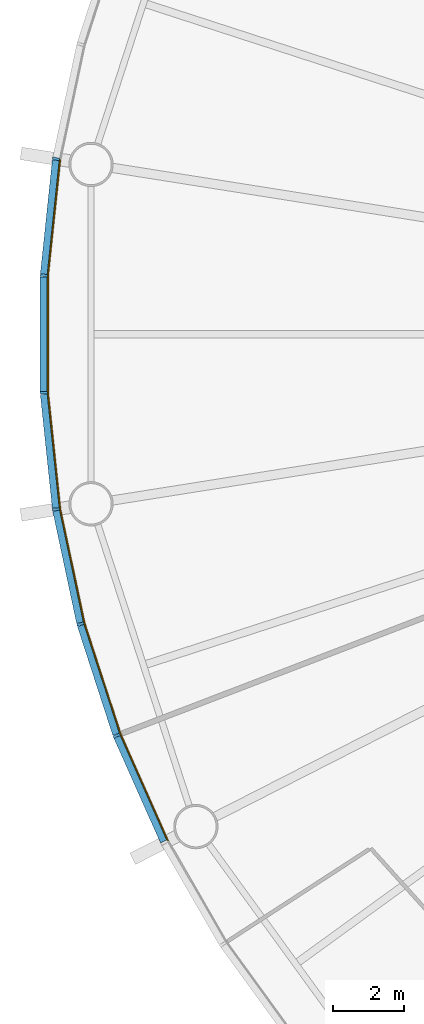
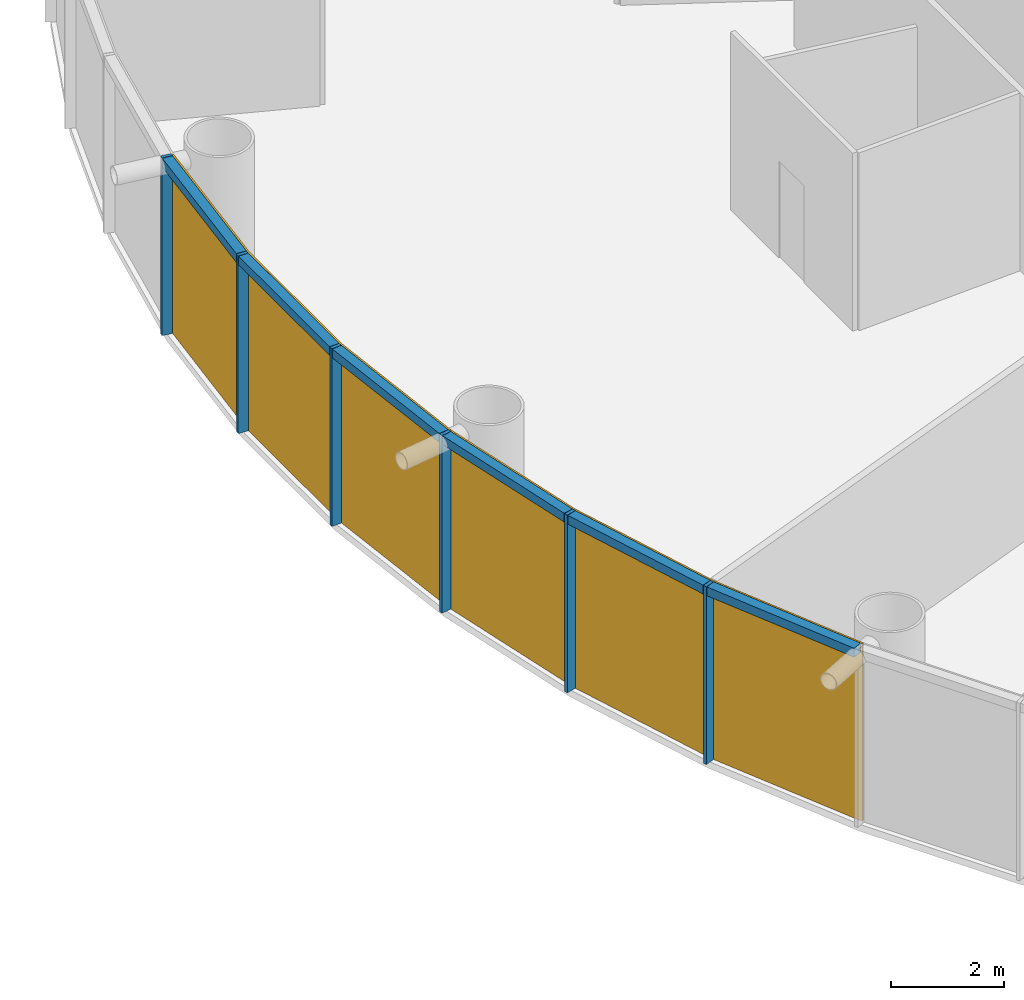
# One storey, part 8 of 13: 12 members, 2 curtain walls.
"""IFC4 building model written with IfcOpenShell, lengths in metres."""

from ifc_helpers import new_model, si_unit, direction, frame, origin, origin_2d, place, context, subcontext, project, spatial, polyline, rectangle, outline, extrude, material, layer, layer_set, material_profile, profile_set, type_object, element, aggregate, save


model = new_model("IFC4")

# Units and contexts
model_context = context("Model", 3, precision=1e-05, world=origin(), true_north=direction((0.0, 1.0)))
body_context = subcontext(model_context, "Body", "Model", "MODEL_VIEW")
ifc_project = project(units=[si_unit("LENGTHUNIT", "METRE"), si_unit("AREAUNIT", "SQUARE_METRE"), si_unit("VOLUMEUNIT", "CUBIC_METRE"), si_unit("PLANEANGLEUNIT", "RADIAN"), si_unit("MASSUNIT", "GRAM", prefix="KILO")], contexts=[model_context])

# Member
ifc_material_1 = material(Name="Anodised aluminium", Category="aluminium")
ifc_material_profile_1 = material_profile(ifc_material_1, rectangle(XDim=0.070068359375, YDim=0.199951171875, at=origin_2d()), Name="Mullion 70 x 200 mm anodised aluminium")
ifc_profile_set_1 = profile_set([ifc_material_profile_1], Name="Anodised aluminium")
member_type_1 = type_object("IfcMemberType", Name="Mullion 70 x 200 mm anodised aluminium", PredefinedType="MULLION", material=ifc_profile_set_1)
site_placement = place(None, origin())
building_placement = place(site_placement, origin())
storey_placement = place(building_placement, frame((0.0, 0.0, 112.0)))
member_1_placement = place(storey_placement, frame((58.7890625, 84.943359375, 0.0), z_axis=(0.0, 0.0, 1.0), x_axis=(-0.15643446504, -0.987688340595, 0.0)))
member_1 = element("IfcMember", 1, at=member_1_placement, type_object=member_type_1, Name="MULLION L25-27", PredefinedType="MULLION", context=body_context, shape_type="SweptSolid", body=[
    extrude(rectangle(XDim=0.070068359375, YDim=0.199951171875, at=origin_2d()), origin(), (0.0, 0.0, 1.0), 3.85009765625),
])

member_2_placement = place(storey_placement, frame((58.443359375, 81.65380859375, 0.0), z_axis=(0.0, 0.0, 1.0), x_axis=(-0.052335956243, -0.998629534755, 0.0)))
member_2 = element("IfcMember", 2, at=member_2_placement, type_object=member_type_1, Name="MULLION L25-28", PredefinedType="MULLION", context=body_context, shape_type="SweptSolid", body=[
    extrude(rectangle(XDim=0.070068359375, YDim=0.199951171875, at=origin_2d()), origin(), (0.0, 0.0, 1.0), 3.85009765625),
])

member_3_placement = place(storey_placement, frame((58.443359375, 78.34619140625, 0.0), z_axis=(0.0, 0.0, 1.0), x_axis=(0.052335956243, -0.998629534755, 0.0)))
member_3 = element("IfcMember", 3, at=member_3_placement, type_object=member_type_1, Name="MULLION L25-29", PredefinedType="MULLION", context=body_context, shape_type="SweptSolid", body=[
    extrude(rectangle(XDim=0.070068359375, YDim=0.199951171875, at=origin_2d()), origin(), (0.0, 0.0, 1.0), 3.85009765625),
])

member_4_placement = place(storey_placement, frame((58.7890625, 75.056640625, 0.0), z_axis=(0.0, 0.0, 1.0), x_axis=(0.15643446504, -0.987688340595, 0.0)))
member_4 = element("IfcMember", 4, at=member_4_placement, type_object=member_type_1, Name="MULLION L25-30", PredefinedType="MULLION", context=body_context, shape_type="SweptSolid", body=[
    extrude(rectangle(XDim=0.070068359375, YDim=0.199951171875, at=origin_2d()), origin(), (0.0, 0.0, 1.0), 3.85009765625),
])

member_5_placement = place(storey_placement, frame((59.476806640625, 71.8212890625, 0.0), z_axis=(0.0, 0.0, 1.0), x_axis=(0.258819045103, -0.965925826289, 0.0)))
member_5 = element("IfcMember", 5, at=member_5_placement, type_object=member_type_1, Name="MULLION L25-31", PredefinedType="MULLION", context=body_context, shape_type="SweptSolid", body=[
    extrude(rectangle(XDim=0.070068359375, YDim=0.199951171875, at=origin_2d()), origin(), (0.0, 0.0, 1.0), 3.85009765625),
])

member_6_placement = place(storey_placement, frame((60.498779296875, 68.675537109375, 0.0), z_axis=(0.0, 0.0, 1.0), x_axis=(0.358367949545, -0.933580426497, 0.0)))
member_6 = element("IfcMember", 6, at=member_6_placement, type_object=member_type_1, Name="MULLION L25-32", PredefinedType="MULLION", context=body_context, shape_type="SweptSolid", body=[
    extrude(rectangle(XDim=0.070068359375, YDim=0.199951171875, at=origin_2d()), origin(), (0.0, 0.0, 1.0), 3.85009765625),
])

ifc_material_2 = material(Name="Anodised aluminium", Category="aluminium")
ifc_material_profile_2 = material_profile(ifc_material_2, rectangle(XDim=0.199951171875, YDim=0.18994140625, at=origin_2d()), Name="Transom 190 x 200 mm anodised aluminium")
ifc_profile_set_2 = profile_set([ifc_material_profile_2], Name="Anodised aluminium")
member_type_2 = type_object("IfcMemberType", Name="Transom 190 x 200 mm anodised aluminium", PredefinedType="USERDEFINED", material=ifc_profile_set_2)
member_7_placement = place(storey_placement, frame((58.78466796875, 84.9033203125, 3.7548828125), z_axis=(-0.104550890115, -0.994519537956, 0.0), x_axis=(0.994519537956, -0.104550890115, 0.0)))
member_7 = element("IfcMember", 7, at=member_7_placement, type_object=member_type_2, Name="TRANSOM L25-27", ObjectType="TRANSOM", PredefinedType="USERDEFINED", context=body_context, shape_type="SweptSolid", body=[
    extrude(rectangle(XDim=0.199951171875, YDim=0.18994140625, at=origin_2d()), origin(), (0.0, 0.0, 1.0), 3.22705078125),
])

member_8_placement = place(storey_placement, frame((58.443115234375, 81.613525390625, 3.7548828125), z_axis=(0.0, -1.0, 0.0), x_axis=(1.0, 0.0, 0.0)))
member_8 = element("IfcMember", 8, at=member_8_placement, type_object=member_type_2, Name="TRANSOM L25-28", ObjectType="TRANSOM", PredefinedType="USERDEFINED", context=body_context, shape_type="SweptSolid", body=[
    extrude(rectangle(XDim=0.199951171875, YDim=0.18994140625, at=origin_2d()), origin(), (0.0, 0.0, 1.0), 3.22705078125),
])

member_9_placement = place(storey_placement, frame((58.447265625, 78.30615234375, 3.7548828125), z_axis=(0.104550890115, -0.994519537956, 0.0), x_axis=(0.994519537956, 0.104550890115, 0.0)))
member_9 = element("IfcMember", 9, at=member_9_placement, type_object=member_type_2, Name="TRANSOM L25-29", ObjectType="TRANSOM", PredefinedType="USERDEFINED", context=body_context, shape_type="SweptSolid", body=[
    extrude(rectangle(XDim=0.199951171875, YDim=0.18994140625, at=origin_2d()), origin(), (0.0, 0.0, 1.0), 3.22705078125),
])

member_10_placement = place(storey_placement, frame((58.79736328125, 75.017333984375, 3.7548828125), z_axis=(0.207885898771, -0.978153082647, 0.0), x_axis=(0.978153082647, 0.207885898771, 0.0)))
member_10 = element("IfcMember", 10, at=member_10_placement, type_object=member_type_2, Name="TRANSOM L25-30", ObjectType="TRANSOM", PredefinedType="USERDEFINED", context=body_context, shape_type="SweptSolid", body=[
    extrude(rectangle(XDim=0.199951171875, YDim=0.18994140625, at=origin_2d()), origin(), (0.0, 0.0, 1.0), 3.227294921875),
])

member_11_placement = place(storey_placement, frame((59.489013671875, 71.782958984375, 3.7548828125), z_axis=(0.309046726844, -0.951046855117, 0.0), x_axis=(0.951046855117, 0.309046726844, 0.0)))
member_11 = element("IfcMember", 11, at=member_11_placement, type_object=member_type_2, Name="TRANSOM L25-31", ObjectType="TRANSOM", PredefinedType="USERDEFINED", context=body_context, shape_type="SweptSolid", body=[
    extrude(rectangle(XDim=0.199951171875, YDim=0.18994140625, at=origin_2d()), origin(), (0.0, 0.0, 1.0), 3.22705078125),
])

member_12_placement = place(storey_placement, frame((60.51513671875, 68.638671875, 3.7548828125), z_axis=(0.406728032322, -0.913549291349, 0.0), x_axis=(0.913549291349, 0.406728032322, 0.0)))
member_12 = element("IfcMember", 12, at=member_12_placement, type_object=member_type_2, Name="TRANSOM L25-32", ObjectType="TRANSOM", PredefinedType="USERDEFINED", context=body_context, shape_type="SweptSolid", body=[
    extrude(rectangle(XDim=0.199951171875, YDim=0.18994140625, at=origin_2d()), origin(), (0.0, 0.0, 1.0), 3.22705078125),
])

# Site, building, storey
site = spatial("IfcSite", under=ifc_project, at=site_placement, CompositionType="ELEMENT")
building = spatial("IfcBuilding", under=site, at=building_placement, Name="Entoto Ring Tower", CompositionType="ELEMENT")
storey = spatial("IfcBuildingStorey", under=building, at=storey_placement, Name="L25", CompositionType="ELEMENT", Elevation=112.0)

# Curtain wall
ifc_material_3 = material(Name="Clear low-iron glass", Category="glass")
ifc_layer = layer(ifc_material_3, 0.035888671875)
ifc_layer_set = layer_set([ifc_layer], Name="Clear low-iron glass")
curtain_wall_type = type_object("IfcCurtainWallType", Name="Curtain wall system CW2 glazing 36 mm", PredefinedType="NOTDEFINED", material=ifc_layer_set)
curtain_wall_1_placement = place(storey_placement, origin())
curtain_wall_1 = element("IfcCurtainWall", 13, at=curtain_wall_1_placement, inside=storey, type_object=curtain_wall_type, Name="CW2 L25-10", PredefinedType="NOTDEFINED", context=body_context, shape_type="SweptSolid", body=[
    extrude(outline(polyline([(58.8876953125, 84.927734375), (58.543212890625, 81.648681640625), (58.543212890625, 78.351318359375), (58.8876953125, 75.072265625), (58.92333984375, 75.077880859375), (58.5791015625, 78.353271484375), (58.5791015625, 81.646728515625), (58.92333984375, 84.922119140625), (58.8876953125, 84.927734375)])), origin(), (0.0, 0.0, 1.0), 3.85009765625),
])

aggregate(curtain_wall_1, [member_1, member_2, member_3, member_7, member_8, member_9])

curtain_wall_2_placement = place(storey_placement, origin())
curtain_wall_2 = element("IfcCurtainWall", 14, at=curtain_wall_2_placement, inside=storey, type_object=curtain_wall_type, Name="CW2 L25-11", PredefinedType="NOTDEFINED", context=body_context, shape_type="SweptSolid", body=[
    extrude(outline(polyline([(58.8876953125, 75.072265625), (59.5732421875, 71.84716796875), (60.59228515625, 68.71142578125), (61.933349609375, 65.69921875), (61.96533203125, 65.715576171875), (60.6259765625, 68.724365234375), (59.608154296875, 71.8564453125), (58.92333984375, 75.077880859375), (58.8876953125, 75.072265625)])), origin(), (0.0, 0.0, 1.0), 3.85009765625),
])

aggregate(curtain_wall_2, [member_4, member_5, member_6, member_10, member_11, member_12])

save(model, "model.ifc")
